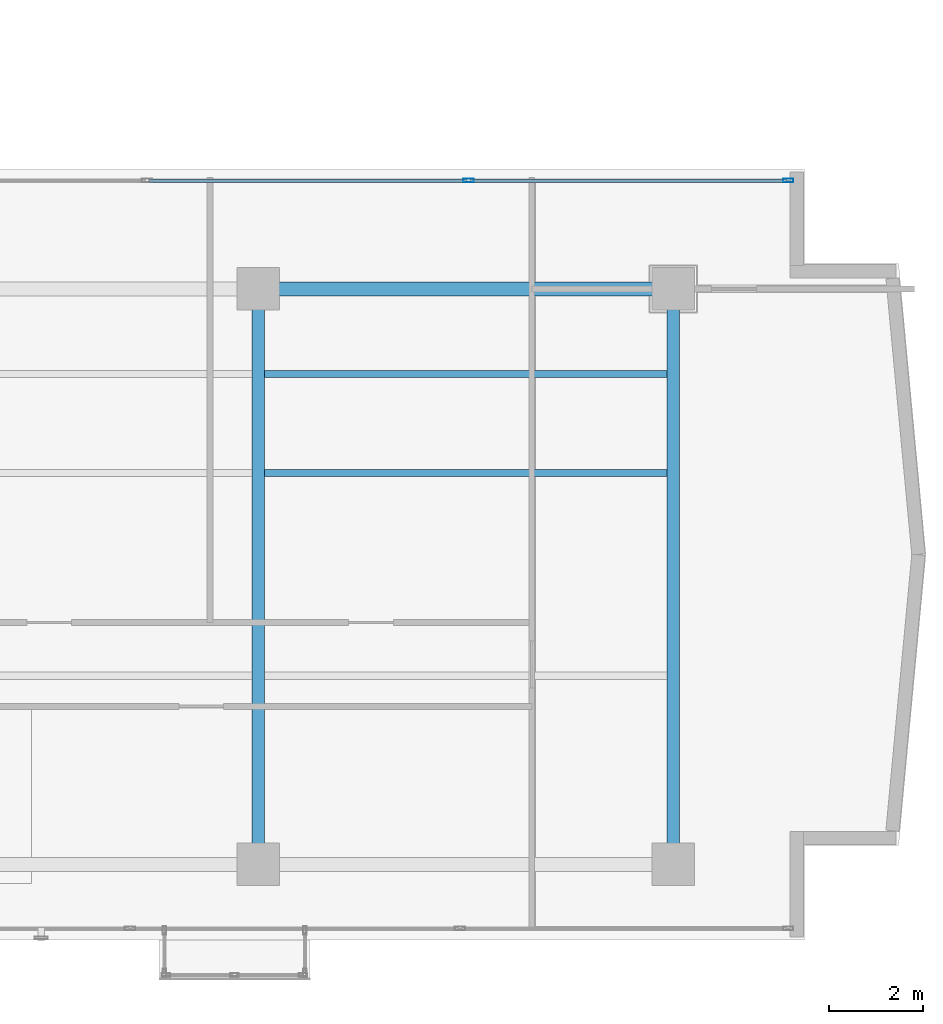
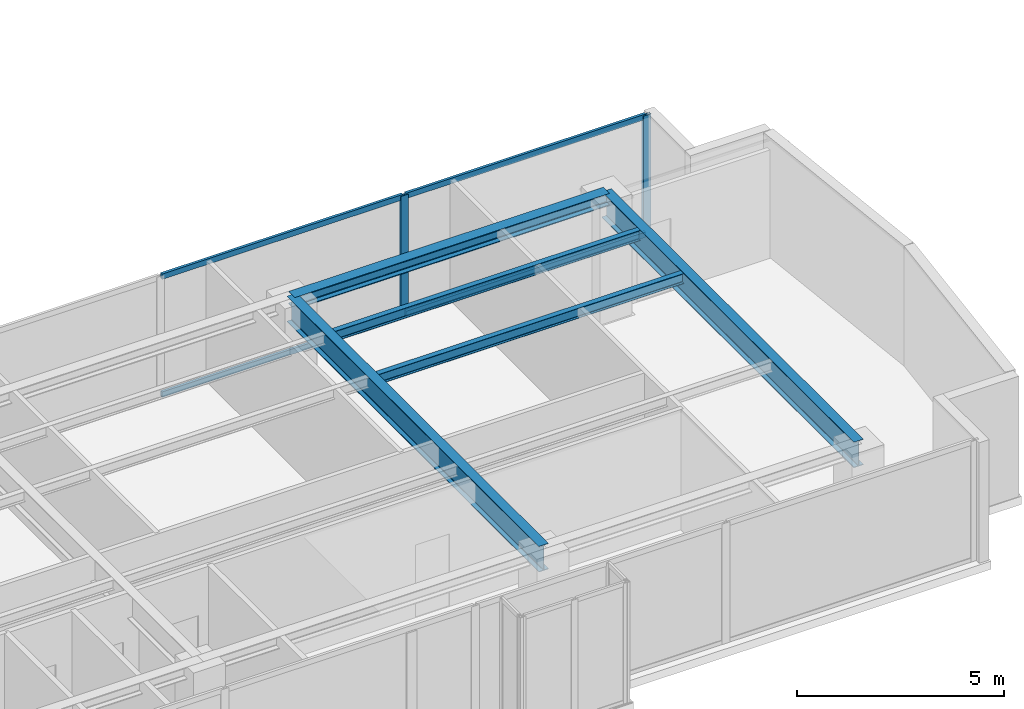
# One storey, part 12 of 24: 6 members, 5 beams, 1 element without a shape of its own.
"""IFC4 building model written with IfcOpenShell, lengths in metres."""

from ifc_helpers import new_model, si_unit, direction, frame, origin, origin_with_axes, origin_2d, place, context, subcontext, project, spatial, hollow_rectangle, i_section, extrude, source, transform, mapped, material, layer, layer_set, material_profile, profile_set, type_object, element, aggregate, save


model = new_model("IFC4")

# Units and contexts
model_context = context("Model", 3, precision=1e-05, world=origin(), true_north=direction((0.0, 1.0)))
body_context = subcontext(model_context, "Body", "Model", "MODEL_VIEW")
ifc_project = project(units=[si_unit("LENGTHUNIT", "METRE"), si_unit("AREAUNIT", "SQUARE_METRE"), si_unit("VOLUMEUNIT", "CUBIC_METRE"), si_unit("PLANEANGLEUNIT", "RADIAN"), si_unit("MASSUNIT", "GRAM", prefix="KILO")], contexts=[model_context])

# Site, building, storey
site_placement = place(None, origin())
site = spatial("IfcSite", under=ifc_project, at=site_placement, CompositionType="ELEMENT")
building_placement = place(site_placement, origin())
building = spatial("IfcBuilding", under=site, at=building_placement, Name="Kolvaren Waterfront Exchange", CompositionType="ELEMENT")
storey_placement = place(building_placement, frame((0.0, 0.0, 285.60009765625)))
storey = spatial("IfcBuildingStorey", under=building, at=storey_placement, Name="L73", CompositionType="ELEMENT", Elevation=285.60009765625)

# Beams
ifc_material_1 = material(Name="Steel S355", Category="steel")
ifc_material_profile_1 = material_profile(ifc_material_1, i_section(OverallWidth=0.300048828125, OverallDepth=0.360107421875, WebThickness=0.012451171875, FlangeThickness=0.0224609375, FilletRadius=0.027099609375, at=origin_2d()), Name="HEB360")
ifc_profile_set_1 = profile_set([ifc_material_profile_1], Name="Steel S355")
beam_type_1 = type_object("IfcBeamType", Name="STR-BM-HEB360", PredefinedType="SPANDREL", material=ifc_profile_set_1)
beam_placement = place(storey_placement, frame((36.800048828125, 17.39990234375, 3.3798828125), z_axis=(1.0, 0.0, 0.0), x_axis=(0.0, 1.0, 0.0)))
element("IfcBeam", 1, at=beam_placement, inside=storey, type_object=beam_type_1, Name="L73 east-arm spandrel N3", PredefinedType="SPANDREL", context=body_context, shape_type="SweptSolid", body=[
    extrude(i_section(OverallWidth=0.300048828125, OverallDepth=0.360107421875, WebThickness=0.012451171875, FlangeThickness=0.0224609375, FilletRadius=0.027099609375, at=origin_2d()), origin(), (0.0, 0.0, 1.0), 8.800048828125),
])
ifc_material_profile_2 = material_profile(ifc_material_1, i_section(OverallWidth=0.14990234375, OverallDepth=0.300048828125, WebThickness=0.007080078125, FlangeThickness=0.0107421875, FilletRadius=0.014892578125, at=origin_2d()), Name="IPE300")
ifc_profile_set_2 = profile_set([ifc_material_profile_2], Name="Steel S355")
beam_type_2 = type_object("IfcBeamType", Name="STR-BM-IPE300", PredefinedType="JOIST", material=ifc_profile_set_2)
for number, where, z_axis, x_axis, name in (
    (2, (36.935546875, 13.5, 3.409912109375), (1.0, 0.0, 0.0), (0.0, 1.0, 0.0), "L73 east-arm composite joist 3A"),
    (3, (36.935546875, 15.60009765625, 3.409912109375), (1.0, 0.0, 0.0), (0.0, 1.0, 0.0), "L73 east-arm composite joist 3C"),
):
    element("IfcBeam", number, at=place(storey_placement, frame(where, z_axis=z_axis, x_axis=x_axis)), inside=storey, type_object=beam_type_2, Name=name, PredefinedType="JOIST", context=body_context, shape_type="SweptSolid", body=[
        extrude(i_section(OverallWidth=0.14990234375, OverallDepth=0.300048828125, WebThickness=0.007080078125, FlangeThickness=0.0107421875, FilletRadius=0.014892578125, at=origin_2d()), origin(), (0.0, 0.0, 1.0), 8.529052734375),
    ])
ifc_material_profile_3 = material_profile(ifc_material_1, i_section(OverallWidth=0.26708984375, OverallDepth=0.761962890625, WebThickness=0.014404296875, FlangeThickness=0.021484375, FilletRadius=0.01708984375, at=origin_2d()), Name="IPE750x173")
ifc_profile_set_3 = profile_set([ifc_material_profile_3], Name="Steel S355")
beam_type_3 = type_object("IfcBeamType", Name="STR-BM-IPE750", PredefinedType="BEAM", material=ifc_profile_set_3)
for number, where, z_axis, x_axis, name in (
    (4, (36.800048828125, 5.199951171875, 3.178955078125), (0.0, 1.0, 0.0), (-1.0, 0.0, 0.0), "L73 east-arm transverse girder X36"),
    (5, (45.60009765625, 5.199951171875, 3.178955078125), (0.0, 1.0, 0.0), (-1.0, 0.0, 0.0), "L73 east-arm transverse girder X45"),
):
    element("IfcBeam", number, at=place(storey_placement, frame(where, z_axis=z_axis, x_axis=x_axis)), inside=storey, type_object=beam_type_3, Name=name, PredefinedType="BEAM", context=body_context, shape_type="SweptSolid", body=[
        extrude(i_section(OverallWidth=0.26708984375, OverallDepth=0.761962890625, WebThickness=0.014404296875, FlangeThickness=0.021484375, FilletRadius=0.01708984375, at=origin_2d()), origin(), (0.0, 0.0, 1.0), 12.199951171875),
    ])

# Curtain wall, members
ifc_material_2 = material(Name="Anodised bronze aluminium 6063-T6", Category="aluminium")
ifc_layer = layer(ifc_material_2, 0.219970703125, Name="Anodised bronze aluminium 6063-T6")
ifc_layer_set = layer_set([ifc_layer], Name="Anodised bronze aluminium 6063-T6")
curtain_wall_type = type_object("IfcCurtainWallType", Name="ARC-CW-SYS1", PredefinedType="USERDEFINED", material=ifc_layer_set)
curtain_wall_placement = place(storey_placement, origin())
curtain_wall = element("IfcCurtainWall", 6, at=curtain_wall_placement, inside=storey, type_object=curtain_wall_type, Name="L73 stick curtain wall CW1 (CW-L73-EN)", ObjectType="STICK CURTAIN WALL", PredefinedType="USERDEFINED")
ifc_material_3 = material(Name="Anodised aluminium 6063-T6", Category="aluminium")
ifc_material_profile_4 = material_profile(ifc_material_3, hollow_rectangle(XDim=0.080078125, YDim=0.219970703125, WallThickness=0.0048828125, at=origin_2d()), Name="ALU-MUL-220x80x5")
ifc_profile_set_4 = profile_set([ifc_material_profile_4], Name="Anodised aluminium 6063-T6")
member_type_1 = type_object("IfcMemberType", Name="ARC-CWM-220", PredefinedType="MULLION", material=ifc_profile_set_4)
shared_shape_1 = source(origin_with_axes(), body_context, "Body", "SweptSolid", [
    extrude(hollow_rectangle(XDim=0.080078125, YDim=0.219970703125, WallThickness=0.0048828125, at=origin_2d()), origin(), (0.0, 0.0, 1.0), 3.559814453125),
])
member_1_placement = place(storey_placement, frame((41.261474609375, 19.69677734375, 0.0), z_axis=(0.0, 0.0, 1.0), x_axis=(0.0, 1.0, 0.0)))
member_1 = element("IfcMember", 7, at=member_1_placement, type_object=member_type_1, Name="CW1 mullion 3", PredefinedType="MULLION", context=body_context, shape_type="MappedRepresentation", body=[
    mapped(shared_shape_1, transform((0.0, 0.0, 0.0), x_axis=(1.0, 0.0, 0.0), y_axis=(0.0, 1.0, 0.0), z_axis=(0.0, 0.0, 1.0), scale=1.0)),
])
member_2_placement = place(storey_placement, frame((48.038818359375, 19.69677734375, 0.0), z_axis=(0.0, 0.0, 1.0), x_axis=(0.0, 1.0, 0.0)))
member_2 = element("IfcMember", 8, at=member_2_placement, type_object=member_type_1, Name="CW1 mullion 4", PredefinedType="MULLION", context=body_context, shape_type="MappedRepresentation", body=[
    mapped(shared_shape_1, transform((0.0, 0.0, 0.0), x_axis=(1.0, 0.0, 0.0), y_axis=(0.0, 1.0, 0.0), z_axis=(0.0, 0.0, 1.0), scale=1.0)),
])
ifc_material_profile_5 = material_profile(ifc_material_3, hollow_rectangle(XDim=0.074951171875, YDim=0.159912109375, WallThickness=0.00439453125, at=origin_2d()), Name="ALU-TRN-160x75x4.5")
ifc_profile_set_5 = profile_set([ifc_material_profile_5], Name="Anodised aluminium 6063-T6")
member_type_2 = type_object("IfcMemberType", Name="ARC-CWT-160", PredefinedType="USERDEFINED", material=ifc_profile_set_5)
shared_shape_2 = source(origin_with_axes(), body_context, "Body", "SweptSolid", [
    extrude(hollow_rectangle(XDim=0.074951171875, YDim=0.159912109375, WallThickness=0.00439453125, at=origin_2d()), origin(), (0.0, 0.0, 1.0), 6.697265625),
])
member_3_placement = place(storey_placement, frame((41.301513671875, 19.69677734375, 0.037353515625), z_axis=(1.0, 0.0, 0.0), x_axis=(0.0, 1.0, 0.0)))
member_3 = element("IfcMember", 9, at=member_3_placement, type_object=member_type_2, Name="CW1 transom 3.1", ObjectType="TRANSOM", PredefinedType="USERDEFINED", context=body_context, shape_type="MappedRepresentation", body=[
    mapped(shared_shape_2, transform((0.0, 0.0, 0.0), x_axis=(1.0, 0.0, 0.0), y_axis=(0.0, 1.0, 0.0), z_axis=(0.0, 0.0, 1.0), scale=1.0)),
])
member_4_placement = place(storey_placement, frame((41.301513671875, 19.69677734375, 3.5224609375), z_axis=(1.0, 0.0, 0.0), x_axis=(0.0, 1.0, 0.0)))
member_4 = element("IfcMember", 10, at=member_4_placement, type_object=member_type_2, Name="CW1 transom 3.2", ObjectType="TRANSOM", PredefinedType="USERDEFINED", context=body_context, shape_type="MappedRepresentation", body=[
    mapped(shared_shape_2, transform((0.0, 0.0, 0.0), x_axis=(1.0, 0.0, 0.0), y_axis=(0.0, 1.0, 0.0), z_axis=(0.0, 0.0, 1.0), scale=1.0)),
])
shared_shape_3 = source(origin_with_axes(), body_context, "Body", "SweptSolid", [
    extrude(hollow_rectangle(XDim=0.074951171875, YDim=0.159912109375, WallThickness=0.00439453125, at=origin_2d()), origin(), (0.0, 0.0, 1.0), 6.7373046875),
])
member_5_placement = place(storey_placement, frame((34.484130859375, 19.69677734375, 0.037353515625), z_axis=(1.0, 0.0, 0.0), x_axis=(0.0, 1.0, 0.0)))
member_5 = element("IfcMember", 11, at=member_5_placement, type_object=member_type_2, Name="CW1 transom 2.1", ObjectType="TRANSOM", PredefinedType="USERDEFINED", context=body_context, shape_type="MappedRepresentation", body=[
    mapped(shared_shape_3, transform((0.0, 0.0, 0.0), x_axis=(1.0, 0.0, 0.0), y_axis=(0.0, 1.0, 0.0), z_axis=(0.0, 0.0, 1.0), scale=1.0)),
])
member_6_placement = place(storey_placement, frame((34.484130859375, 19.69677734375, 3.5224609375), z_axis=(1.0, 0.0, 0.0), x_axis=(0.0, 1.0, 0.0)))
member_6 = element("IfcMember", 12, at=member_6_placement, type_object=member_type_2, Name="CW1 transom 2.2", ObjectType="TRANSOM", PredefinedType="USERDEFINED", context=body_context, shape_type="MappedRepresentation", body=[
    mapped(shared_shape_3, transform((0.0, 0.0, 0.0), x_axis=(1.0, 0.0, 0.0), y_axis=(0.0, 1.0, 0.0), z_axis=(0.0, 0.0, 1.0), scale=1.0)),
])
aggregate(curtain_wall, [member_1, member_2, member_5, member_6, member_3, member_4])

save(model, "model.ifc")
